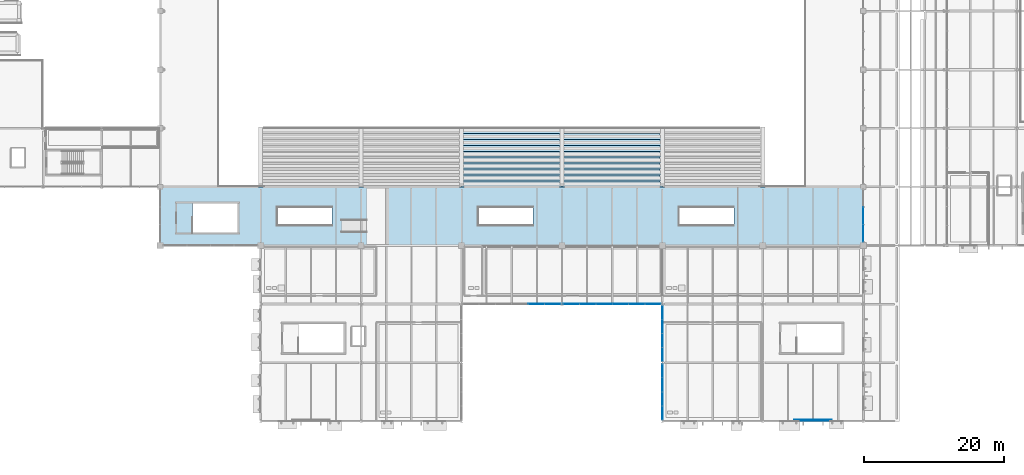
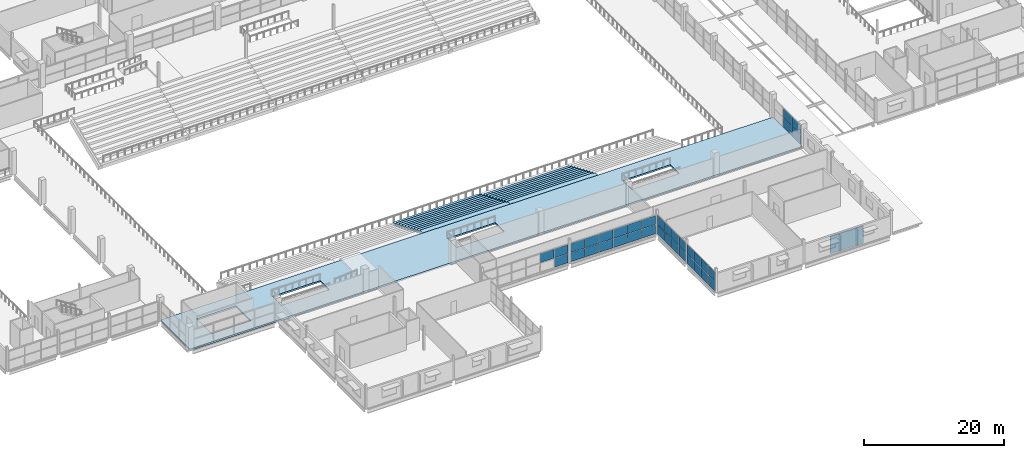
# One storey, part 124 of 161: 36 plates, 20 slabs, 5 elements without a shape of their own.
"""IFC4 building model written with IfcOpenShell, lengths in metres."""

from ifc_helpers import new_model, si_unit, direction, frame, origin, origin_2d, place, context, subcontext, project, spatial, polyline, rectangle, outline, extrude, material, layer, layer_set, type_object, element, aggregate, save


model = new_model("IFC4")

# Units and contexts
model_context = context("Model", 3, precision=1e-05, world=origin(), true_north=direction((0.0, 1.0)))
body_context = subcontext(model_context, "Body", "Model", "MODEL_VIEW")
ifc_project = project(units=[si_unit("LENGTHUNIT", "METRE"), si_unit("AREAUNIT", "SQUARE_METRE"), si_unit("VOLUMEUNIT", "CUBIC_METRE"), si_unit("PLANEANGLEUNIT", "RADIAN"), si_unit("MASSUNIT", "GRAM", prefix="KILO"), si_unit("THERMODYNAMICTEMPERATUREUNIT", "KELVIN")], contexts=[model_context])

# Site, building, storey
site_placement = place(None, origin())
site = spatial("IfcSite", under=ifc_project, at=site_placement, CompositionType="ELEMENT")
building_placement = place(site_placement, origin())
building = spatial("IfcBuilding", under=site, at=building_placement, Name="Nduvali Passage Aquatics Centre", CompositionType="ELEMENT")
storey_placement = place(building_placement, frame((0.0, 0.0, 4.800048828125)))
storey = spatial("IfcBuildingStorey", under=building, at=storey_placement, Name="L01", CompositionType="ELEMENT", Elevation=4.800048828125)

# Plate
ifc_material_1 = material(Name="Coral-stone masonry blockwork", Category="masonry")
ifc_layer_1 = layer(ifc_material_1, 0.1201171875, Name="Coral-stone masonry blockwork")
ifc_layer_set_1 = layer_set([ifc_layer_1], Name="Coral-stone masonry blockwork")
plate_type_1 = type_object("IfcPlateType", Name="ENV-PLT-CLS120", PredefinedType="USERDEFINED", material=ifc_layer_set_1)
plate_1_placement = place(storey_placement, frame((118.800048828125, 0.1201171875, 0.0), z_axis=(0.0, 0.0, 1.0), x_axis=(1.0, 0.0, 0.0)))
element("IfcPlate", 1, at=plate_1_placement, inside=storey, type_object=plate_type_1, Name="L01 Changing Village South Claustra 2", ObjectType="CLAUSTRA SCREEN", PredefinedType="USERDEFINED", context=body_context, shape_type="SweptSolid", body=[
    extrude(rectangle(XDim=5.39990234375, YDim=0.1201171875, at=origin_2d()), origin(), (0.0, 0.0, 1.0), 3.0),
])

# Curtain wall, plates
ifc_material_2 = material(Name="Aluminium EN AW-6063 T6", Category="aluminium")
curtain_wall_type_1 = type_object("IfcCurtainWallType", Name="ENV-CW-COUR", PredefinedType="NOTDEFINED", material=ifc_material_2)
curtain_wall_1_placement = place(storey_placement, origin())
curtain_wall_1 = element("IfcCurtainWall", 2, at=curtain_wall_1_placement, inside=storey, type_object=curtain_wall_type_1, Name="L01 Monsoon Courtyard Upper Cloister CW 164", PredefinedType="NOTDEFINED")
ifc_material_3 = material(Name="Laminated solar-control low-E IGU")
ifc_layer_2 = layer(ifc_material_3, 0.028076171875, Name="Laminated solar-control low-E IGU")
ifc_layer_set_2 = layer_set([ifc_layer_2], Name="Laminated solar-control low-E IGU")
plate_type_2 = type_object("IfcPlateType", Name="ENV-PLT-GLZ28", PredefinedType="CURTAIN_PANEL", material=ifc_layer_set_2)
plate_2_placement = place(storey_placement, frame((79.125, 16.800048828125, 1.67626953125), z_axis=(0.0, 0.0, 1.0), x_axis=(1.0, 0.0, 0.0)))
plate_2 = element("IfcPlate", 3, at=plate_2_placement, type_object=plate_type_2, Name="Monsoon Courtyard Upper Cloister CW Glazed Panel B5-R2", PredefinedType="CURTAIN_PANEL", context=body_context, shape_type="SweptSolid", body=[
    extrude(rectangle(XDim=2.2900390625, YDim=0.028076171875, at=origin_2d()), origin(), (0.0, 0.0, 1.0), 1.556396484375),
])
plate_3_placement = place(storey_placement, frame((81.4599609375, 16.800048828125, 0.06005859375), z_axis=(0.0, 0.0, 1.0), x_axis=(1.0, 0.0, 0.0)))
plate_3 = element("IfcPlate", 4, at=plate_3_placement, type_object=plate_type_2, Name="Monsoon Courtyard Upper Cloister CW Glazed Panel B6-R1", PredefinedType="CURTAIN_PANEL", context=body_context, shape_type="SweptSolid", body=[
    extrude(rectangle(XDim=2.260009765625, YDim=0.028076171875, at=origin_2d()), origin(), (0.0, 0.0, 1.0), 1.556396484375),
])
plate_4_placement = place(storey_placement, frame((81.4599609375, 16.800048828125, 1.67626953125), z_axis=(0.0, 0.0, 1.0), x_axis=(1.0, 0.0, 0.0)))
plate_4 = element("IfcPlate", 5, at=plate_4_placement, type_object=plate_type_2, Name="Monsoon Courtyard Upper Cloister CW Glazed Panel B6-R2", PredefinedType="CURTAIN_PANEL", context=body_context, shape_type="SweptSolid", body=[
    extrude(rectangle(XDim=2.260009765625, YDim=0.028076171875, at=origin_2d()), origin(), (0.0, 0.0, 1.0), 1.556396484375),
])
aggregate(curtain_wall_1, [plate_2, plate_3, plate_4])

curtain_wall_2_placement = place(storey_placement, origin())
curtain_wall_2 = element("IfcCurtainWall", 6, at=curtain_wall_2_placement, inside=storey, type_object=curtain_wall_type_1, Name="L01 Monsoon Courtyard Upper Cloister CW 166", PredefinedType="NOTDEFINED")
plate_5_placement = place(storey_placement, frame((84.139892578125, 16.800048828125, 0.06005859375), z_axis=(0.0, 0.0, 1.0), x_axis=(1.0, 0.0, 0.0)))
plate_5 = element("IfcPlate", 7, at=plate_5_placement, type_object=plate_type_2, Name="Monsoon Courtyard Upper Cloister CW Glazed Panel B1-R1", PredefinedType="CURTAIN_PANEL", context=body_context, shape_type="SweptSolid", body=[
    extrude(rectangle(XDim=2.260009765625, YDim=0.028076171875, at=origin_2d()), origin(), (0.0, 0.0, 1.0), 1.556396484375),
])
plate_6_placement = place(storey_placement, frame((84.139892578125, 16.800048828125, 1.67626953125), z_axis=(0.0, 0.0, 1.0), x_axis=(1.0, 0.0, 0.0)))
plate_6 = element("IfcPlate", 8, at=plate_6_placement, type_object=plate_type_2, Name="Monsoon Courtyard Upper Cloister CW Glazed Panel B1-R2", PredefinedType="CURTAIN_PANEL", context=body_context, shape_type="SweptSolid", body=[
    extrude(rectangle(XDim=2.260009765625, YDim=0.028076171875, at=origin_2d()), origin(), (0.0, 0.0, 1.0), 1.556396484375),
])
plate_7_placement = place(storey_placement, frame((86.47509765625, 16.800048828125, 0.06005859375), z_axis=(0.0, 0.0, 1.0), x_axis=(1.0, 0.0, 0.0)))
plate_7 = element("IfcPlate", 9, at=plate_7_placement, type_object=plate_type_2, Name="Monsoon Courtyard Upper Cloister CW Glazed Panel B2-R1", PredefinedType="CURTAIN_PANEL", context=body_context, shape_type="SweptSolid", body=[
    extrude(rectangle(XDim=2.2900390625, YDim=0.028076171875, at=origin_2d()), origin(), (0.0, 0.0, 1.0), 1.556396484375),
])
plate_8_placement = place(storey_placement, frame((86.47509765625, 16.800048828125, 1.67626953125), z_axis=(0.0, 0.0, 1.0), x_axis=(1.0, 0.0, 0.0)))
plate_8 = element("IfcPlate", 10, at=plate_8_placement, type_object=plate_type_2, Name="Monsoon Courtyard Upper Cloister CW Glazed Panel B2-R2", PredefinedType="CURTAIN_PANEL", context=body_context, shape_type="SweptSolid", body=[
    extrude(rectangle(XDim=2.2900390625, YDim=0.028076171875, at=origin_2d()), origin(), (0.0, 0.0, 1.0), 1.556396484375),
])
plate_9_placement = place(storey_placement, frame((88.824951171875, 16.800048828125, 0.06005859375), z_axis=(0.0, 0.0, 1.0), x_axis=(1.0, 0.0, 0.0)))
plate_9 = element("IfcPlate", 11, at=plate_9_placement, type_object=plate_type_2, Name="Monsoon Courtyard Upper Cloister CW Glazed Panel B3-R1", PredefinedType="CURTAIN_PANEL", context=body_context, shape_type="SweptSolid", body=[
    extrude(rectangle(XDim=2.2900390625, YDim=0.028076171875, at=origin_2d()), origin(), (0.0, 0.0, 1.0), 1.556396484375),
])
plate_10_placement = place(storey_placement, frame((88.824951171875, 16.800048828125, 1.67626953125), z_axis=(0.0, 0.0, 1.0), x_axis=(1.0, 0.0, 0.0)))
plate_10 = element("IfcPlate", 12, at=plate_10_placement, type_object=plate_type_2, Name="Monsoon Courtyard Upper Cloister CW Glazed Panel B3-R2", PredefinedType="CURTAIN_PANEL", context=body_context, shape_type="SweptSolid", body=[
    extrude(rectangle(XDim=2.2900390625, YDim=0.028076171875, at=origin_2d()), origin(), (0.0, 0.0, 1.0), 1.556396484375),
])
plate_11_placement = place(storey_placement, frame((91.175048828125, 16.800048828125, 0.06005859375), z_axis=(0.0, 0.0, 1.0), x_axis=(1.0, 0.0, 0.0)))
plate_11 = element("IfcPlate", 13, at=plate_11_placement, type_object=plate_type_2, Name="Monsoon Courtyard Upper Cloister CW Glazed Panel B4-R1", PredefinedType="CURTAIN_PANEL", context=body_context, shape_type="SweptSolid", body=[
    extrude(rectangle(XDim=2.2900390625, YDim=0.028076171875, at=origin_2d()), origin(), (0.0, 0.0, 1.0), 1.556396484375),
])
plate_12_placement = place(storey_placement, frame((91.175048828125, 16.800048828125, 1.67626953125), z_axis=(0.0, 0.0, 1.0), x_axis=(1.0, 0.0, 0.0)))
plate_12 = element("IfcPlate", 14, at=plate_12_placement, type_object=plate_type_2, Name="Monsoon Courtyard Upper Cloister CW Glazed Panel B4-R2", PredefinedType="CURTAIN_PANEL", context=body_context, shape_type="SweptSolid", body=[
    extrude(rectangle(XDim=2.2900390625, YDim=0.028076171875, at=origin_2d()), origin(), (0.0, 0.0, 1.0), 1.556396484375),
])
plate_13_placement = place(storey_placement, frame((93.52490234375, 16.800048828125, 0.06005859375), z_axis=(0.0, 0.0, 1.0), x_axis=(1.0, 0.0, 0.0)))
plate_13 = element("IfcPlate", 15, at=plate_13_placement, type_object=plate_type_2, Name="Monsoon Courtyard Upper Cloister CW Glazed Panel B5-R1", PredefinedType="CURTAIN_PANEL", context=body_context, shape_type="SweptSolid", body=[
    extrude(rectangle(XDim=2.2900390625, YDim=0.028076171875, at=origin_2d()), origin(), (0.0, 0.0, 1.0), 1.556396484375),
])
plate_14_placement = place(storey_placement, frame((93.52490234375, 16.800048828125, 1.67626953125), z_axis=(0.0, 0.0, 1.0), x_axis=(1.0, 0.0, 0.0)))
plate_14 = element("IfcPlate", 16, at=plate_14_placement, type_object=plate_type_2, Name="Monsoon Courtyard Upper Cloister CW Glazed Panel B5-R2", PredefinedType="CURTAIN_PANEL", context=body_context, shape_type="SweptSolid", body=[
    extrude(rectangle(XDim=2.2900390625, YDim=0.028076171875, at=origin_2d()), origin(), (0.0, 0.0, 1.0), 1.556396484375),
])
plate_15_placement = place(storey_placement, frame((95.860107421875, 16.800048828125, 0.06005859375), z_axis=(0.0, 0.0, 1.0), x_axis=(1.0, 0.0, 0.0)))
plate_15 = element("IfcPlate", 17, at=plate_15_placement, type_object=plate_type_2, Name="Monsoon Courtyard Upper Cloister CW Glazed Panel B6-R1", PredefinedType="CURTAIN_PANEL", context=body_context, shape_type="SweptSolid", body=[
    extrude(rectangle(XDim=2.260009765625, YDim=0.028076171875, at=origin_2d()), origin(), (0.0, 0.0, 1.0), 1.556396484375),
])
plate_16_placement = place(storey_placement, frame((95.860107421875, 16.800048828125, 1.67626953125), z_axis=(0.0, 0.0, 1.0), x_axis=(1.0, 0.0, 0.0)))
plate_16 = element("IfcPlate", 18, at=plate_16_placement, type_object=plate_type_2, Name="Monsoon Courtyard Upper Cloister CW Glazed Panel B6-R2", PredefinedType="CURTAIN_PANEL", context=body_context, shape_type="SweptSolid", body=[
    extrude(rectangle(XDim=2.260009765625, YDim=0.028076171875, at=origin_2d()), origin(), (0.0, 0.0, 1.0), 1.556396484375),
])
aggregate(curtain_wall_2, [plate_5, plate_6, plate_7, plate_8, plate_9, plate_10, plate_11, plate_12, plate_13, plate_14, plate_15, plate_16])

curtain_wall_3_placement = place(storey_placement, origin())
curtain_wall_3 = element("IfcCurtainWall", 19, at=curtain_wall_3_placement, inside=storey, type_object=curtain_wall_type_1, Name="L01 Courtyard East Upper Cloister CW 170", PredefinedType="NOTDEFINED")
plate_17_placement = place(storey_placement, frame((97.199951171875, 1.1787109375, 0.06005859375), z_axis=(0.0, 0.0, 1.0), x_axis=(0.0, 1.0, 0.0)))
plate_17 = element("IfcPlate", 20, at=plate_17_placement, type_object=plate_type_2, Name="Courtyard East Upper Cloister CW Glazed Panel B1-R1", PredefinedType="CURTAIN_PANEL", context=body_context, shape_type="SweptSolid", body=[
    extrude(rectangle(XDim=1.9375, YDim=0.028076171875, at=origin_2d()), origin(), (0.0, 0.0, 1.0), 1.628173828125),
])
plate_18_placement = place(storey_placement, frame((97.199951171875, 1.1787109375, 1.748046875), z_axis=(0.0, 0.0, 1.0), x_axis=(0.0, 1.0, 0.0)))
plate_18 = element("IfcPlate", 21, at=plate_18_placement, type_object=plate_type_2, Name="Courtyard East Upper Cloister CW Glazed Panel B1-R2", PredefinedType="CURTAIN_PANEL", context=body_context, shape_type="SweptSolid", body=[
    extrude(rectangle(XDim=1.9375, YDim=0.028076171875, at=origin_2d()), origin(), (0.0, 0.0, 1.0), 1.628173828125),
])
plate_19_placement = place(storey_placement, frame((97.199951171875, 3.191162109375, 0.06005859375), z_axis=(0.0, 0.0, 1.0), x_axis=(0.0, 1.0, 0.0)))
plate_19 = element("IfcPlate", 22, at=plate_19_placement, type_object=plate_type_2, Name="Courtyard East Upper Cloister CW Glazed Panel B2-R1", PredefinedType="CURTAIN_PANEL", context=body_context, shape_type="SweptSolid", body=[
    extrude(rectangle(XDim=1.967529296875, YDim=0.028076171875, at=origin_2d()), origin(), (0.0, 0.0, 1.0), 1.628173828125),
])
plate_20_placement = place(storey_placement, frame((97.199951171875, 3.191162109375, 1.748046875), z_axis=(0.0, 0.0, 1.0), x_axis=(0.0, 1.0, 0.0)))
plate_20 = element("IfcPlate", 23, at=plate_20_placement, type_object=plate_type_2, Name="Courtyard East Upper Cloister CW Glazed Panel B2-R2", PredefinedType="CURTAIN_PANEL", context=body_context, shape_type="SweptSolid", body=[
    extrude(rectangle(XDim=1.967529296875, YDim=0.028076171875, at=origin_2d()), origin(), (0.0, 0.0, 1.0), 1.628173828125),
])
plate_21_placement = place(storey_placement, frame((97.199951171875, 5.21875, 0.06005859375), z_axis=(0.0, 0.0, 1.0), x_axis=(0.0, 1.0, 0.0)))
plate_21 = element("IfcPlate", 24, at=plate_21_placement, type_object=plate_type_2, Name="Courtyard East Upper Cloister CW Glazed Panel B3-R1", PredefinedType="CURTAIN_PANEL", context=body_context, shape_type="SweptSolid", body=[
    extrude(rectangle(XDim=1.967529296875, YDim=0.028076171875, at=origin_2d()), origin(), (0.0, 0.0, 1.0), 1.628173828125),
])
plate_22_placement = place(storey_placement, frame((97.199951171875, 5.21875, 1.748046875), z_axis=(0.0, 0.0, 1.0), x_axis=(0.0, 1.0, 0.0)))
plate_22 = element("IfcPlate", 25, at=plate_22_placement, type_object=plate_type_2, Name="Courtyard East Upper Cloister CW Glazed Panel B3-R2", PredefinedType="CURTAIN_PANEL", context=body_context, shape_type="SweptSolid", body=[
    extrude(rectangle(XDim=1.967529296875, YDim=0.028076171875, at=origin_2d()), origin(), (0.0, 0.0, 1.0), 1.628173828125),
])
plate_23_placement = place(storey_placement, frame((97.199951171875, 7.231201171875, 0.06005859375), z_axis=(0.0, 0.0, 1.0), x_axis=(0.0, 1.0, 0.0)))
plate_23 = element("IfcPlate", 26, at=plate_23_placement, type_object=plate_type_2, Name="Courtyard East Upper Cloister CW Glazed Panel B4-R1", PredefinedType="CURTAIN_PANEL", context=body_context, shape_type="SweptSolid", body=[
    extrude(rectangle(XDim=1.9375, YDim=0.028076171875, at=origin_2d()), origin(), (0.0, 0.0, 1.0), 1.628173828125),
])
plate_24_placement = place(storey_placement, frame((97.199951171875, 7.231201171875, 1.748046875), z_axis=(0.0, 0.0, 1.0), x_axis=(0.0, 1.0, 0.0)))
plate_24 = element("IfcPlate", 27, at=plate_24_placement, type_object=plate_type_2, Name="Courtyard East Upper Cloister CW Glazed Panel B4-R2", PredefinedType="CURTAIN_PANEL", context=body_context, shape_type="SweptSolid", body=[
    extrude(rectangle(XDim=1.9375, YDim=0.028076171875, at=origin_2d()), origin(), (0.0, 0.0, 1.0), 1.628173828125),
])
aggregate(curtain_wall_3, [plate_17, plate_18, plate_19, plate_20, plate_21, plate_22, plate_23, plate_24])

curtain_wall_4_placement = place(storey_placement, origin())
curtain_wall_4 = element("IfcCurtainWall", 28, at=curtain_wall_4_placement, inside=storey, type_object=curtain_wall_type_1, Name="L01 Courtyard East Upper Cloister CW 174", PredefinedType="NOTDEFINED")
plate_25_placement = place(storey_placement, frame((97.199951171875, 9.568603515625, 0.06005859375), z_axis=(0.0, 0.0, 1.0), x_axis=(0.0, 1.0, 0.0)))
plate_25 = element("IfcPlate", 29, at=plate_25_placement, type_object=plate_type_2, Name="Courtyard East Upper Cloister CW Glazed Panel B1-R1", PredefinedType="CURTAIN_PANEL", context=body_context, shape_type="SweptSolid", body=[
    extrude(rectangle(XDim=1.9375, YDim=0.028076171875, at=origin_2d()), origin(), (0.0, 0.0, 1.0), 1.628173828125),
])
plate_26_placement = place(storey_placement, frame((97.199951171875, 9.568603515625, 1.748046875), z_axis=(0.0, 0.0, 1.0), x_axis=(0.0, 1.0, 0.0)))
plate_26 = element("IfcPlate", 30, at=plate_26_placement, type_object=plate_type_2, Name="Courtyard East Upper Cloister CW Glazed Panel B1-R2", PredefinedType="CURTAIN_PANEL", context=body_context, shape_type="SweptSolid", body=[
    extrude(rectangle(XDim=1.9375, YDim=0.028076171875, at=origin_2d()), origin(), (0.0, 0.0, 1.0), 1.628173828125),
])
plate_27_placement = place(storey_placement, frame((97.199951171875, 11.581298828125, 0.06005859375), z_axis=(0.0, 0.0, 1.0), x_axis=(0.0, 1.0, 0.0)))
plate_27 = element("IfcPlate", 31, at=plate_27_placement, type_object=plate_type_2, Name="Courtyard East Upper Cloister CW Glazed Panel B2-R1", PredefinedType="CURTAIN_PANEL", context=body_context, shape_type="SweptSolid", body=[
    extrude(rectangle(XDim=1.967529296875, YDim=0.028076171875, at=origin_2d()), origin(), (0.0, 0.0, 1.0), 1.628173828125),
])
plate_28_placement = place(storey_placement, frame((97.199951171875, 11.581298828125, 1.748046875), z_axis=(0.0, 0.0, 1.0), x_axis=(0.0, 1.0, 0.0)))
plate_28 = element("IfcPlate", 32, at=plate_28_placement, type_object=plate_type_2, Name="Courtyard East Upper Cloister CW Glazed Panel B2-R2", PredefinedType="CURTAIN_PANEL", context=body_context, shape_type="SweptSolid", body=[
    extrude(rectangle(XDim=1.967529296875, YDim=0.028076171875, at=origin_2d()), origin(), (0.0, 0.0, 1.0), 1.628173828125),
])
plate_29_placement = place(storey_placement, frame((97.199951171875, 13.608642578125, 0.06005859375), z_axis=(0.0, 0.0, 1.0), x_axis=(0.0, 1.0, 0.0)))
plate_29 = element("IfcPlate", 33, at=plate_29_placement, type_object=plate_type_2, Name="Courtyard East Upper Cloister CW Glazed Panel B3-R1", PredefinedType="CURTAIN_PANEL", context=body_context, shape_type="SweptSolid", body=[
    extrude(rectangle(XDim=1.967529296875, YDim=0.028076171875, at=origin_2d()), origin(), (0.0, 0.0, 1.0), 1.628173828125),
])
plate_30_placement = place(storey_placement, frame((97.199951171875, 13.608642578125, 1.748046875), z_axis=(0.0, 0.0, 1.0), x_axis=(0.0, 1.0, 0.0)))
plate_30 = element("IfcPlate", 34, at=plate_30_placement, type_object=plate_type_2, Name="Courtyard East Upper Cloister CW Glazed Panel B3-R2", PredefinedType="CURTAIN_PANEL", context=body_context, shape_type="SweptSolid", body=[
    extrude(rectangle(XDim=1.967529296875, YDim=0.028076171875, at=origin_2d()), origin(), (0.0, 0.0, 1.0), 1.628173828125),
])
plate_31_placement = place(storey_placement, frame((97.199951171875, 15.62109375, 0.06005859375), z_axis=(0.0, 0.0, 1.0), x_axis=(0.0, 1.0, 0.0)))
plate_31 = element("IfcPlate", 35, at=plate_31_placement, type_object=plate_type_2, Name="Courtyard East Upper Cloister CW Glazed Panel B4-R1", PredefinedType="CURTAIN_PANEL", context=body_context, shape_type="SweptSolid", body=[
    extrude(rectangle(XDim=1.9375, YDim=0.028076171875, at=origin_2d()), origin(), (0.0, 0.0, 1.0), 1.628173828125),
])
plate_32_placement = place(storey_placement, frame((97.199951171875, 15.62109375, 1.748046875), z_axis=(0.0, 0.0, 1.0), x_axis=(0.0, 1.0, 0.0)))
plate_32 = element("IfcPlate", 36, at=plate_32_placement, type_object=plate_type_2, Name="Courtyard East Upper Cloister CW Glazed Panel B4-R2", PredefinedType="CURTAIN_PANEL", context=body_context, shape_type="SweptSolid", body=[
    extrude(rectangle(XDim=1.9375, YDim=0.028076171875, at=origin_2d()), origin(), (0.0, 0.0, 1.0), 1.628173828125),
])
aggregate(curtain_wall_4, [plate_25, plate_26, plate_27, plate_28, plate_29, plate_30, plate_31, plate_32])

curtain_wall_type_2 = type_object("IfcCurtainWallType", Name="ENV-CW-HALL", PredefinedType="NOTDEFINED", material=ifc_material_2)
curtain_wall_5_placement = place(storey_placement, origin())
curtain_wall_5 = element("IfcCurtainWall", 37, at=curtain_wall_5_placement, inside=storey, type_object=curtain_wall_type_2, Name="L01 East Passage Pool Hall Gallery Glazing 015", PredefinedType="NOTDEFINED")
ifc_layer_3 = layer(ifc_material_3, 0.031982421875, Name="Laminated solar-control low-E IGU")
ifc_layer_set_3 = layer_set([ifc_layer_3], Name="Laminated solar-control low-E IGU")
plate_type_3 = type_object("IfcPlateType", Name="ENV-PLT-GLZ32", PredefinedType="CURTAIN_PANEL", material=ifc_layer_set_3)
plate_33_placement = place(storey_placement, frame((126.0, 26.927490234375, 0.06005859375), z_axis=(0.0, 0.0, 1.0), x_axis=(0.0, 1.0, 0.0)))
plate_33 = element("IfcPlate", 38, at=plate_33_placement, type_object=plate_type_3, Name="East Passage Pool Hall Gallery Glazing Glazed Panel B1-R1", PredefinedType="CURTAIN_PANEL", context=body_context, shape_type="SweptSolid", body=[
    extrude(rectangle(XDim=2.43505859375, YDim=0.031982421875, at=origin_2d()), origin(), (0.0, 0.0, 1.0), 1.6083984375),
])
plate_34_placement = place(storey_placement, frame((126.0, 26.927490234375, 1.728271484375), z_axis=(0.0, 0.0, 1.0), x_axis=(0.0, 1.0, 0.0)))
plate_34 = element("IfcPlate", 39, at=plate_34_placement, type_object=plate_type_3, Name="East Passage Pool Hall Gallery Glazing Glazed Panel B1-R2", PredefinedType="CURTAIN_PANEL", context=body_context, shape_type="SweptSolid", body=[
    extrude(rectangle(XDim=2.43505859375, YDim=0.031982421875, at=origin_2d()), origin(), (0.0, 0.0, 1.0), 1.6083984375),
])
plate_35_placement = place(storey_placement, frame((126.0, 29.4375, 0.06005859375), z_axis=(0.0, 0.0, 1.0), x_axis=(0.0, 1.0, 0.0)))
plate_35 = element("IfcPlate", 40, at=plate_35_placement, type_object=plate_type_3, Name="East Passage Pool Hall Gallery Glazing Glazed Panel B2-R1", PredefinedType="CURTAIN_PANEL", context=body_context, shape_type="SweptSolid", body=[
    extrude(rectangle(XDim=2.465087890625, YDim=0.031982421875, at=origin_2d()), origin(), (0.0, 0.0, 1.0), 1.6083984375),
])
plate_36_placement = place(storey_placement, frame((126.0, 29.4375, 1.728271484375), z_axis=(0.0, 0.0, 1.0), x_axis=(0.0, 1.0, 0.0)))
plate_36 = element("IfcPlate", 41, at=plate_36_placement, type_object=plate_type_3, Name="East Passage Pool Hall Gallery Glazing Glazed Panel B2-R2", PredefinedType="CURTAIN_PANEL", context=body_context, shape_type="SweptSolid", body=[
    extrude(rectangle(XDim=2.465087890625, YDim=0.031982421875, at=origin_2d()), origin(), (0.0, 0.0, 1.0), 1.6083984375),
])
aggregate(curtain_wall_5, [plate_33, plate_34, plate_35, plate_36])

# Slabs
ifc_material_4 = material(Name="Concrete C40/50", Category="concrete")
ifc_layer_4 = layer(ifc_material_4, 0.280029296875, Name="Concrete C40/50")
ifc_layer_set_4 = layer_set([ifc_layer_4], Name="Concrete C40/50")
slab_type_1 = type_object("IfcSlabType", Name="STR-SLB-FLR280", PredefinedType="FLOOR", material=ifc_layer_set_4)
slab_1_placement = place(storey_placement, frame((0.0, 0.0, -0.280029296875)))
element("IfcSlab", 42, at=slab_1_placement, inside=storey, type_object=slab_type_1, Name="L01 South Spectator Concourse Gallery Slab", PredefinedType="FLOOR", context=body_context, shape_type="SweptSolid", body=[
    extrude(outline(polyline([(25.25, 25.199951171875), (126.0, 25.199951171875), (126.0, 33.60009765625), (25.25, 33.60009765625), (25.25, 25.199951171875)]), holes=[polyline([(29.85009765625, 27.0), (36.300048828125, 27.0), (36.300048828125, 31.25), (29.85009765625, 31.25), (29.85009765625, 27.0)]), polyline([(42.0, 28.125), (49.830078125, 28.125), (49.830078125, 30.675048828125), (42.0, 30.675048828125), (42.0, 28.125)]), polyline([(70.800048828125, 28.125), (78.6298828125, 28.125), (78.6298828125, 30.675048828125), (70.800048828125, 30.675048828125), (70.800048828125, 28.125)]), polyline([(99.60009765625, 28.125), (107.429931640625, 28.125), (107.429931640625, 30.675048828125), (99.60009765625, 30.675048828125), (99.60009765625, 28.125)])]), origin(), (0.0, 0.0, 1.0), 0.280029296875),
])
ifc_material_5 = material(Name="Precast concrete C40/50", Category="concrete")
ifc_layer_5 = layer(ifc_material_5, 0.360107421875, Name="Precast concrete C40/50")
ifc_layer_set_5 = layer_set([ifc_layer_5], Name="Precast concrete C40/50")
slab_type_2 = type_object("IfcSlabType", Name="STR-SLB-TIER360", PredefinedType="USERDEFINED", material=ifc_layer_set_5)
slab_2_placement = place(storey_placement, frame((0.0, 0.0, -3.60009765625)))
element("IfcSlab", 43, at=slab_2_placement, inside=storey, type_object=slab_type_2, Name="Stand South Bay 3 Seating Tier Row 01", ObjectType="SEATING TIER", PredefinedType="USERDEFINED", context=body_context, shape_type="SweptSolid", body=[
    extrude(outline(polyline([(68.39990234375, 41.25), (82.800048828125, 41.25), (82.800048828125, 41.919921875), (82.449951171875, 41.919921875), (82.449951171875, 42.10009765625), (68.39990234375, 42.10009765625), (68.39990234375, 41.25)])), origin(), (0.0, 0.0, 1.0), 0.360107421875),
])
slab_3_placement = place(storey_placement, frame((0.0, 0.0, -3.239990234375)))
element("IfcSlab", 44, at=slab_3_placement, inside=storey, type_object=slab_type_2, Name="Stand South Bay 3 Seating Tier Row 02", ObjectType="SEATING TIER", PredefinedType="USERDEFINED", context=body_context, shape_type="SweptSolid", body=[
    extrude(outline(polyline([(68.39990234375, 40.39990234375), (82.800048828125, 40.39990234375), (82.800048828125, 41.070068359375), (82.449951171875, 41.070068359375), (82.449951171875, 41.25), (68.39990234375, 41.25), (68.39990234375, 40.39990234375)])), origin(), (0.0, 0.0, 1.0), 0.35986328125),
])
slab_4_placement = place(storey_placement, frame((0.0, 0.0, -3.239990234375)))
element("IfcSlab", 45, at=slab_4_placement, inside=storey, type_object=slab_type_2, Name="Stand South Bay 4 Seating Tier Row 02", ObjectType="SEATING TIER", PredefinedType="USERDEFINED", context=body_context, shape_type="SweptSolid", body=[
    extrude(outline(polyline([(82.800048828125, 40.39990234375), (97.199951171875, 40.39990234375), (97.199951171875, 41.070068359375), (96.85009765625, 41.070068359375), (96.85009765625, 41.25), (82.800048828125, 41.25), (82.800048828125, 40.39990234375)])), origin(), (0.0, 0.0, 1.0), 0.35986328125),
])
slab_5_placement = place(storey_placement, frame((0.0, 0.0, -2.880126953125)))
element("IfcSlab", 46, at=slab_5_placement, inside=storey, type_object=slab_type_2, Name="Stand South Bay 3 Seating Tier Row 03", ObjectType="SEATING TIER", PredefinedType="USERDEFINED", context=body_context, shape_type="SweptSolid", body=[
    extrude(outline(polyline([(68.39990234375, 39.550048828125), (82.800048828125, 39.550048828125), (82.800048828125, 40.219970703125), (82.449951171875, 40.219970703125), (82.449951171875, 40.39990234375), (68.39990234375, 40.39990234375), (68.39990234375, 39.550048828125)])), origin(), (0.0, 0.0, 1.0), 0.360107421875),
])
slab_6_placement = place(storey_placement, frame((0.0, 0.0, -2.880126953125)))
element("IfcSlab", 47, at=slab_6_placement, inside=storey, type_object=slab_type_2, Name="Stand South Bay 4 Seating Tier Row 03", ObjectType="SEATING TIER", PredefinedType="USERDEFINED", context=body_context, shape_type="SweptSolid", body=[
    extrude(outline(polyline([(82.800048828125, 39.550048828125), (97.199951171875, 39.550048828125), (97.199951171875, 40.219970703125), (96.85009765625, 40.219970703125), (96.85009765625, 40.39990234375), (82.800048828125, 40.39990234375), (82.800048828125, 39.550048828125)])), origin(), (0.0, 0.0, 1.0), 0.360107421875),
])
slab_7_placement = place(storey_placement, frame((0.0, 0.0, -2.52001953125)))
element("IfcSlab", 48, at=slab_7_placement, inside=storey, type_object=slab_type_2, Name="Stand South Bay 3 Seating Tier Row 04", ObjectType="SEATING TIER", PredefinedType="USERDEFINED", context=body_context, shape_type="SweptSolid", body=[
    extrude(outline(polyline([(68.39990234375, 38.699951171875), (82.800048828125, 38.699951171875), (82.800048828125, 39.3701171875), (82.449951171875, 39.3701171875), (82.449951171875, 39.550048828125), (68.39990234375, 39.550048828125), (68.39990234375, 38.699951171875)])), origin(), (0.0, 0.0, 1.0), 0.35986328125),
])
slab_8_placement = place(storey_placement, frame((0.0, 0.0, -2.52001953125)))
element("IfcSlab", 49, at=slab_8_placement, inside=storey, type_object=slab_type_2, Name="Stand South Bay 4 Seating Tier Row 04", ObjectType="SEATING TIER", PredefinedType="USERDEFINED", context=body_context, shape_type="SweptSolid", body=[
    extrude(outline(polyline([(82.800048828125, 38.699951171875), (97.199951171875, 38.699951171875), (97.199951171875, 39.3701171875), (96.85009765625, 39.3701171875), (96.85009765625, 39.550048828125), (82.800048828125, 39.550048828125), (82.800048828125, 38.699951171875)])), origin(), (0.0, 0.0, 1.0), 0.35986328125),
])
slab_9_placement = place(storey_placement, frame((0.0, 0.0, -2.16015625)))
element("IfcSlab", 50, at=slab_9_placement, inside=storey, type_object=slab_type_2, Name="Stand South Bay 3 Seating Tier Row 05", ObjectType="SEATING TIER", PredefinedType="USERDEFINED", context=body_context, shape_type="SweptSolid", body=[
    extrude(outline(polyline([(68.39990234375, 37.85009765625), (82.800048828125, 37.85009765625), (82.800048828125, 38.52001953125), (82.449951171875, 38.52001953125), (82.449951171875, 38.699951171875), (68.39990234375, 38.699951171875), (68.39990234375, 37.85009765625)])), origin(), (0.0, 0.0, 1.0), 0.360107421875),
])
slab_10_placement = place(storey_placement, frame((0.0, 0.0, -2.16015625)))
element("IfcSlab", 51, at=slab_10_placement, inside=storey, type_object=slab_type_2, Name="Stand South Bay 4 Seating Tier Row 05", ObjectType="SEATING TIER", PredefinedType="USERDEFINED", context=body_context, shape_type="SweptSolid", body=[
    extrude(outline(polyline([(82.800048828125, 37.85009765625), (97.199951171875, 37.85009765625), (97.199951171875, 38.52001953125), (96.85009765625, 38.52001953125), (96.85009765625, 38.699951171875), (82.800048828125, 38.699951171875), (82.800048828125, 37.85009765625)])), origin(), (0.0, 0.0, 1.0), 0.360107421875),
])
slab_11_placement = place(storey_placement, frame((0.0, 0.0, -1.800048828125)))
element("IfcSlab", 52, at=slab_11_placement, inside=storey, type_object=slab_type_2, Name="Stand South Bay 3 Seating Tier Row 06", ObjectType="SEATING TIER", PredefinedType="USERDEFINED", context=body_context, shape_type="SweptSolid", body=[
    extrude(outline(polyline([(68.39990234375, 37.0), (82.800048828125, 37.0), (82.800048828125, 37.669921875), (82.449951171875, 37.669921875), (82.449951171875, 37.85009765625), (68.39990234375, 37.85009765625), (68.39990234375, 37.0)])), origin(), (0.0, 0.0, 1.0), 0.360107421875),
])
slab_12_placement = place(storey_placement, frame((0.0, 0.0, -1.800048828125)))
element("IfcSlab", 53, at=slab_12_placement, inside=storey, type_object=slab_type_2, Name="Stand South Bay 4 Seating Tier Row 06", ObjectType="SEATING TIER", PredefinedType="USERDEFINED", context=body_context, shape_type="SweptSolid", body=[
    extrude(outline(polyline([(82.800048828125, 37.0), (97.199951171875, 37.0), (97.199951171875, 37.669921875), (96.85009765625, 37.669921875), (96.85009765625, 37.85009765625), (82.800048828125, 37.85009765625), (82.800048828125, 37.0)])), origin(), (0.0, 0.0, 1.0), 0.360107421875),
])
slab_13_placement = place(storey_placement, frame((0.0, 0.0, -1.43994140625)))
element("IfcSlab", 54, at=slab_13_placement, inside=storey, type_object=slab_type_2, Name="Stand South Bay 3 Seating Tier Row 07", ObjectType="SEATING TIER", PredefinedType="USERDEFINED", context=body_context, shape_type="SweptSolid", body=[
    extrude(outline(polyline([(68.39990234375, 36.14990234375), (82.800048828125, 36.14990234375), (82.800048828125, 36.820068359375), (82.449951171875, 36.820068359375), (82.449951171875, 37.0), (68.39990234375, 37.0), (68.39990234375, 36.14990234375)])), origin(), (0.0, 0.0, 1.0), 0.35986328125),
])
slab_14_placement = place(storey_placement, frame((0.0, 0.0, -1.43994140625)))
element("IfcSlab", 55, at=slab_14_placement, inside=storey, type_object=slab_type_2, Name="Stand South Bay 4 Seating Tier Row 07", ObjectType="SEATING TIER", PredefinedType="USERDEFINED", context=body_context, shape_type="SweptSolid", body=[
    extrude(outline(polyline([(82.800048828125, 36.14990234375), (97.199951171875, 36.14990234375), (97.199951171875, 36.820068359375), (96.85009765625, 36.820068359375), (96.85009765625, 37.0), (82.800048828125, 37.0), (82.800048828125, 36.14990234375)])), origin(), (0.0, 0.0, 1.0), 0.35986328125),
])
slab_15_placement = place(storey_placement, frame((0.0, 0.0, -1.080078125)))
element("IfcSlab", 56, at=slab_15_placement, inside=storey, type_object=slab_type_2, Name="Stand South Bay 3 Seating Tier Row 08", ObjectType="SEATING TIER", PredefinedType="USERDEFINED", context=body_context, shape_type="SweptSolid", body=[
    extrude(outline(polyline([(68.39990234375, 35.300048828125), (82.800048828125, 35.300048828125), (82.800048828125, 35.969970703125), (82.449951171875, 35.969970703125), (82.449951171875, 36.14990234375), (68.39990234375, 36.14990234375), (68.39990234375, 35.300048828125)])), origin(), (0.0, 0.0, 1.0), 0.360107421875),
])
slab_16_placement = place(storey_placement, frame((0.0, 0.0, -1.080078125)))
element("IfcSlab", 57, at=slab_16_placement, inside=storey, type_object=slab_type_2, Name="Stand South Bay 4 Seating Tier Row 08", ObjectType="SEATING TIER", PredefinedType="USERDEFINED", context=body_context, shape_type="SweptSolid", body=[
    extrude(outline(polyline([(82.800048828125, 35.300048828125), (97.199951171875, 35.300048828125), (97.199951171875, 35.969970703125), (96.85009765625, 35.969970703125), (96.85009765625, 36.14990234375), (82.800048828125, 36.14990234375), (82.800048828125, 35.300048828125)])), origin(), (0.0, 0.0, 1.0), 0.360107421875),
])
slab_17_placement = place(storey_placement, frame((0.0, 0.0, -0.719970703125)))
element("IfcSlab", 58, at=slab_17_placement, inside=storey, type_object=slab_type_2, Name="Stand South Bay 3 Seating Tier Row 09", ObjectType="SEATING TIER", PredefinedType="USERDEFINED", context=body_context, shape_type="SweptSolid", body=[
    extrude(outline(polyline([(68.39990234375, 34.449951171875), (82.800048828125, 34.449951171875), (82.800048828125, 35.1201171875), (82.449951171875, 35.1201171875), (82.449951171875, 35.300048828125), (68.39990234375, 35.300048828125), (68.39990234375, 34.449951171875)])), origin(), (0.0, 0.0, 1.0), 0.35986328125),
])
slab_18_placement = place(storey_placement, frame((0.0, 0.0, -0.719970703125)))
element("IfcSlab", 59, at=slab_18_placement, inside=storey, type_object=slab_type_2, Name="Stand South Bay 4 Seating Tier Row 09", ObjectType="SEATING TIER", PredefinedType="USERDEFINED", context=body_context, shape_type="SweptSolid", body=[
    extrude(outline(polyline([(82.800048828125, 34.449951171875), (97.199951171875, 34.449951171875), (97.199951171875, 35.1201171875), (96.85009765625, 35.1201171875), (96.85009765625, 35.300048828125), (82.800048828125, 35.300048828125), (82.800048828125, 34.449951171875)])), origin(), (0.0, 0.0, 1.0), 0.35986328125),
])
slab_19_placement = place(storey_placement, frame((0.0, 0.0, -0.360107421875)))
element("IfcSlab", 60, at=slab_19_placement, inside=storey, type_object=slab_type_2, Name="Stand South Bay 3 Seating Tier Row 10", ObjectType="SEATING TIER", PredefinedType="USERDEFINED", context=body_context, shape_type="SweptSolid", body=[
    extrude(outline(polyline([(68.39990234375, 33.60009765625), (82.800048828125, 33.60009765625), (82.800048828125, 34.27001953125), (82.449951171875, 34.27001953125), (82.449951171875, 34.449951171875), (68.39990234375, 34.449951171875), (68.39990234375, 33.60009765625)])), origin(), (0.0, 0.0, 1.0), 0.360107421875),
])
slab_20_placement = place(storey_placement, frame((0.0, 0.0, -0.360107421875)))
element("IfcSlab", 61, at=slab_20_placement, inside=storey, type_object=slab_type_2, Name="Stand South Bay 4 Seating Tier Row 10", ObjectType="SEATING TIER", PredefinedType="USERDEFINED", context=body_context, shape_type="SweptSolid", body=[
    extrude(outline(polyline([(82.800048828125, 33.60009765625), (97.199951171875, 33.60009765625), (97.199951171875, 34.27001953125), (96.85009765625, 34.27001953125), (96.85009765625, 34.449951171875), (82.800048828125, 34.449951171875), (82.800048828125, 33.60009765625)])), origin(), (0.0, 0.0, 1.0), 0.360107421875),
])

save(model, "model.ifc")
